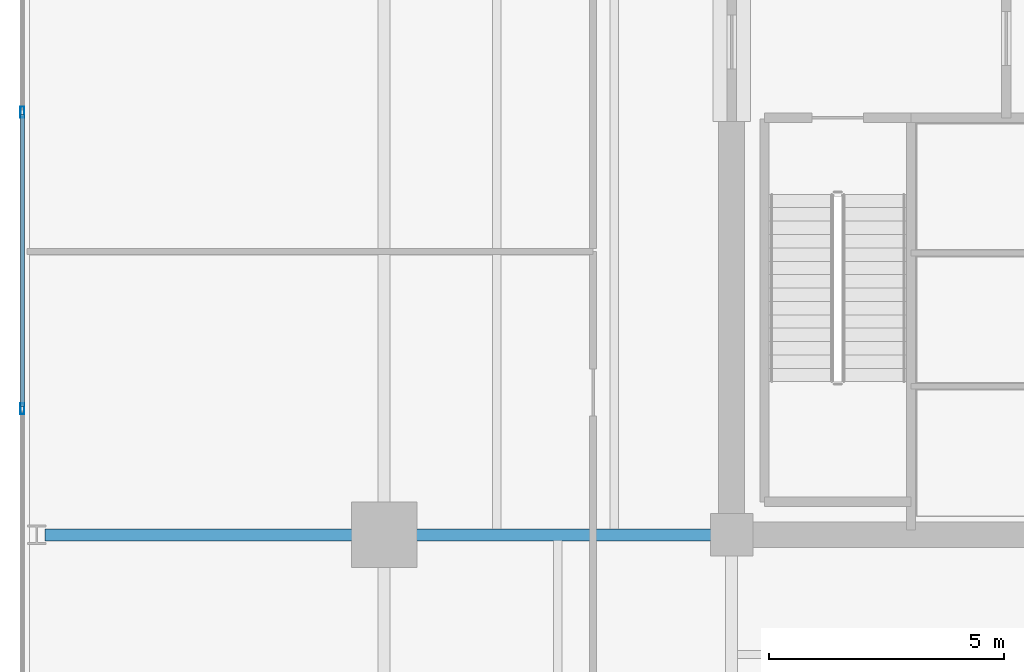
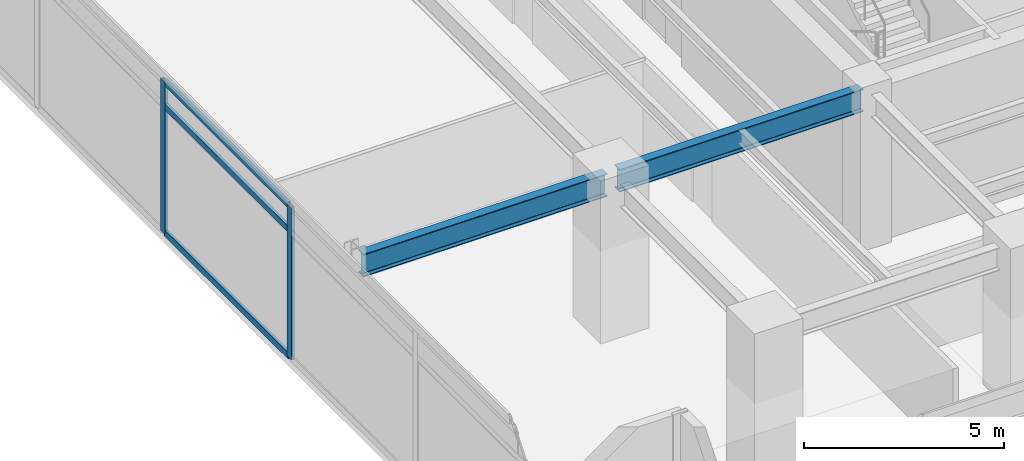
# One storey, part 4 of 25: 5 members, 2 beams, 1 element without a shape of its own.
"""IFC4 building model written with IfcOpenShell, lengths in metres."""

from ifc_helpers import new_model, si_unit, direction, frame, origin, origin_2d, place, context, subcontext, project, spatial, hollow_rectangle, i_section, extrude, material, material_profile, profile_set, type_object, element, aggregate, save


model = new_model("IFC4")

# Units and contexts
model_context = context("Model", 3, precision=1e-05, world=origin(), true_north=direction((0.0, 1.0)))
body_context = subcontext(model_context, "Body", "Model", "MODEL_VIEW")
ifc_project = project(units=[si_unit("LENGTHUNIT", "METRE"), si_unit("AREAUNIT", "SQUARE_METRE"), si_unit("VOLUMEUNIT", "CUBIC_METRE"), si_unit("PLANEANGLEUNIT", "RADIAN"), si_unit("MASSUNIT", "GRAM", prefix="KILO")], contexts=[model_context])

# Site, building, storey
site_placement = place(None, origin())
site = spatial("IfcSite", under=ifc_project, at=site_placement, CompositionType="ELEMENT")
building_placement = place(site_placement, origin())
building = spatial("IfcBuilding", under=site, at=building_placement, Name="Kovane Verandah Tower", CompositionType="ELEMENT")
storey_placement = place(building_placement, frame((0.0, 0.0, 233.199951171875)))
storey = spatial("IfcBuildingStorey", under=building, at=storey_placement, Name="L54", CompositionType="ELEMENT", Elevation=233.199951171875)

# Beams
ifc_material_1 = material(Name="Steel S355", Category="steel")
ifc_material_profile_1 = material_profile(ifc_material_1, i_section(OverallWidth=0.255859375, OverallDepth=0.69287109375, WebThickness=0.014404296875, FlangeThickness=0.023681640625, FilletRadius=0.01513671875, at=origin_2d()), Name="UB686x254x170")
ifc_profile_set_1 = profile_set([ifc_material_profile_1], Name="Steel S355")
beam_type = type_object("IfcBeamType", Name="BM-UB686x170", PredefinedType="BEAM", material=ifc_profile_set_1)
for number, where, z_axis, x_axis, name in (
    (1, (28.820068359375, 18.5, 4.353759765625), (-1.0, 0.0, 0.0), (0.0, -1.0, 0.0), "L54 Primary Tower Girder G-W1"),
    (2, (21.419921875, 18.5, 4.353759765625), (-1.0, 0.0, 0.0), (0.0, -1.0, 0.0), "L54 Primary Tower Girder G-VW1"),
):
    element("IfcBeam", number, at=place(storey_placement, frame(where, z_axis=z_axis, x_axis=x_axis)), inside=storey, type_object=beam_type, Name=name, PredefinedType="BEAM", context=body_context, shape_type="SweptSolid", body=[
        extrude(i_section(OverallWidth=0.255859375, OverallDepth=0.69287109375, WebThickness=0.014404296875, FlangeThickness=0.023681640625, FilletRadius=0.01513671875, at=origin_2d()), origin(), (0.0, 0.0, 1.0), 7.0400390625),
    ])

# Curtain wall, members
ifc_material_2 = material(Name="Champagne Anodised Aluminium Frame with Low-E Clear Laminated Glass", Category="aluminium")
curtain_wall_type = type_object("IfcCurtainWallType", Name="CW-SYS-03-MID", PredefinedType="NOTDEFINED", material=ifc_material_2)
curtain_wall_placement = place(storey_placement, origin())
curtain_wall = element("IfcCurtainWall", 3, at=curtain_wall_placement, inside=storey, type_object=curtain_wall_type, Name="L54 W Unitised Curtain Wall", PredefinedType="NOTDEFINED")
ifc_material_3 = material(Name="Champagne Anodised Aluminium 6063-T6", Category="aluminium")
ifc_material_profile_2 = material_profile(ifc_material_3, hollow_rectangle(XDim=0.0849609375, YDim=0.22998046875, WallThickness=0.00390625, at=origin_2d()), Name="AL85x230x4")
ifc_profile_set_2 = profile_set([ifc_material_profile_2], Name="Champagne Anodised Aluminium 6063-T6")
member_type_1 = type_object("IfcMemberType", Name="CW-MUL-85x230", PredefinedType="MULLION", material=ifc_profile_set_2)
member_1_placement = place(storey_placement, frame((13.892822265625, 27.5, 0.02001953125), z_axis=(0.0, 0.0, 1.0), x_axis=(-1.0, 0.0, 0.0)))
member_1 = element("IfcMember", 4, at=member_1_placement, type_object=member_type_1, Name="L54 W Unitised Curtain Wall Mullion 4", PredefinedType="MULLION", context=body_context, shape_type="SweptSolid", body=[
    extrude(hollow_rectangle(XDim=0.0849609375, YDim=0.22998046875, WallThickness=0.00390625, at=origin_2d()), origin(), (0.0, 0.0, 1.0), 4.659912109375),
])
member_2_placement = place(storey_placement, frame((13.892822265625, 21.18359375, 0.02001953125), z_axis=(0.0, 0.0, 1.0), x_axis=(-1.0, 0.0, 0.0)))
member_2 = element("IfcMember", 5, at=member_2_placement, type_object=member_type_1, Name="L54 W Unitised Curtain Wall Mullion 5", PredefinedType="MULLION", context=body_context, shape_type="SweptSolid", body=[
    extrude(hollow_rectangle(XDim=0.0849609375, YDim=0.22998046875, WallThickness=0.00390625, at=origin_2d()), origin(), (0.0, 0.0, 1.0), 4.659912109375),
])
ifc_material_profile_3 = material_profile(ifc_material_3, hollow_rectangle(XDim=0.0849609375, YDim=0.18994140625, WallThickness=0.00390625, at=origin_2d()), Name="AL85x190x4")
ifc_profile_set_3 = profile_set([ifc_material_profile_3], Name="Champagne Anodised Aluminium 6063-T6")
member_type_2 = type_object("IfcMemberType", Name="CW-TRN-85x190", PredefinedType="USERDEFINED", material=ifc_profile_set_3)
member_3_placement = place(storey_placement, frame((13.892822265625, 27.449951171875, 0.050048828125), z_axis=(0.0, -1.0, 0.0), x_axis=(1.0, 0.0, 0.0)))
member_3 = element("IfcMember", 6, at=member_3_placement, type_object=member_type_2, Name="L54 W Unitised Curtain Wall Transom TB Bay 4", ObjectType="TRANSOM", PredefinedType="USERDEFINED", context=body_context, shape_type="SweptSolid", body=[
    extrude(hollow_rectangle(XDim=0.0849609375, YDim=0.18994140625, WallThickness=0.00390625, at=origin_2d()), origin(), (0.0, 0.0, 1.0), 6.216552734375),
])
member_4_placement = place(storey_placement, frame((13.892822265625, 27.449951171875, 3.920166015625), z_axis=(0.0, -1.0, 0.0), x_axis=(1.0, 0.0, 0.0)))
member_4 = element("IfcMember", 7, at=member_4_placement, type_object=member_type_2, Name="L54 W Unitised Curtain Wall Transom TM Bay 4", ObjectType="TRANSOM", PredefinedType="USERDEFINED", context=body_context, shape_type="SweptSolid", body=[
    extrude(hollow_rectangle(XDim=0.0849609375, YDim=0.18994140625, WallThickness=0.00390625, at=origin_2d()), origin(), (0.0, 0.0, 1.0), 6.216552734375),
])
member_5_placement = place(storey_placement, frame((13.892822265625, 27.449951171875, 4.650146484375), z_axis=(0.0, -1.0, 0.0), x_axis=(1.0, 0.0, 0.0)))
member_5 = element("IfcMember", 8, at=member_5_placement, type_object=member_type_2, Name="L54 W Unitised Curtain Wall Transom TT Bay 4", ObjectType="TRANSOM", PredefinedType="USERDEFINED", context=body_context, shape_type="SweptSolid", body=[
    extrude(hollow_rectangle(XDim=0.0849609375, YDim=0.18994140625, WallThickness=0.00390625, at=origin_2d()), origin(), (0.0, 0.0, 1.0), 6.216552734375),
])
aggregate(curtain_wall, [member_1, member_2, member_3, member_4, member_5])

save(model, "model.ifc")
